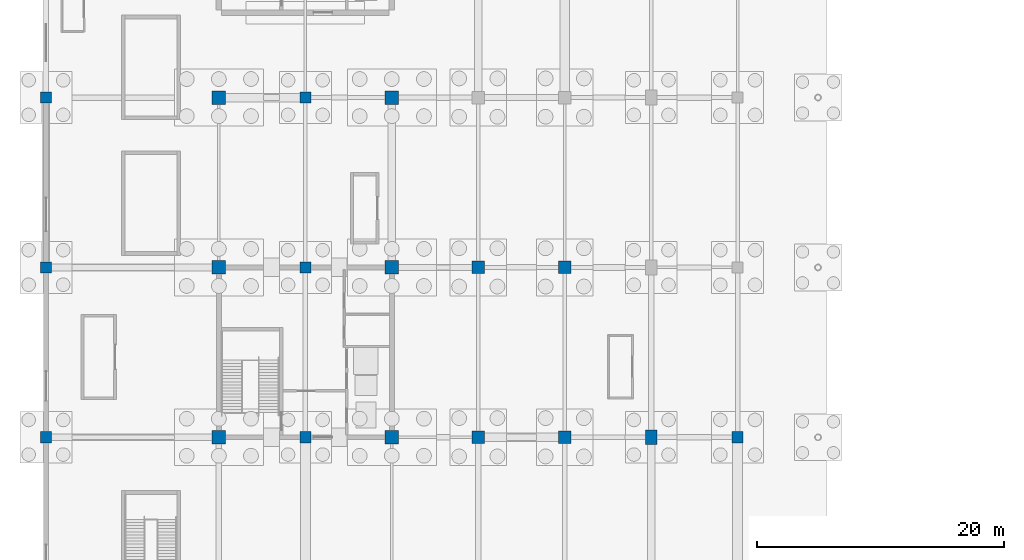
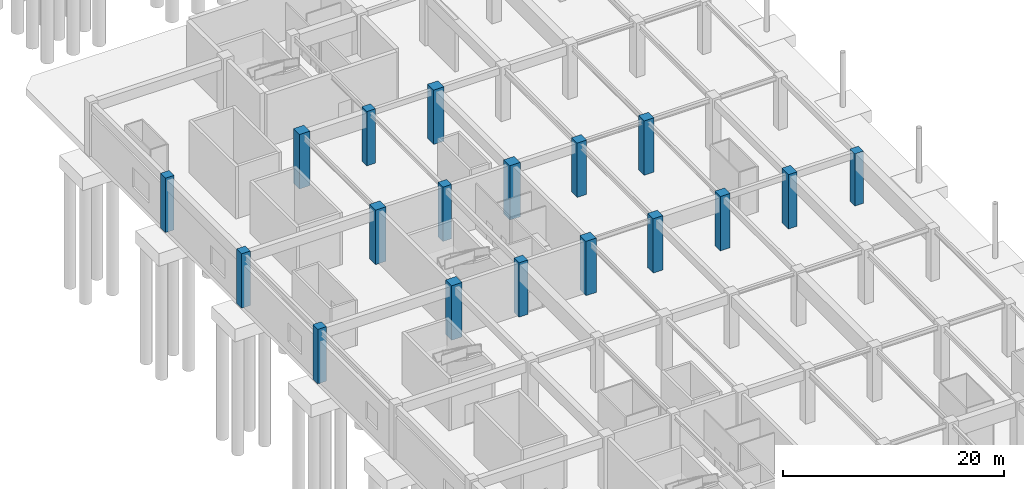
# One storey, part 14 of 62: 18 columns.
"""IFC4 building model written with IfcOpenShell, lengths in metres."""

import ifcopenshell
import ifcopenshell.guid

model = None  # the IFC model being written
_history = None  # IfcOwnerHistory: only IFC2X3 demands one
_inside = {}  # id of a spatial element -> (the spatial element, [elements in it])
_under = {}  # id of a project, library or spatial element -> (it, [spatial elements below it])
_declared = {}  # id of a project -> (the project, [libraries it declares])
_typed = {}  # id of a type object -> (the type object, [elements of that type])
_made_of = {}  # id of a material, layer set ... -> (it, [elements and type objects made of it])


def new_model(schema):
    """Start an empty IFC model of exactly this schema.

    Asked for "IFC4X3", IfcOpenShell would pick the latest addendum, in which some entities
    have other attributes; the version numbers below select the first issue.
    IFC2X3 requires an IfcOwnerHistory on every rooted entity: one is made here for all.
    """
    global model, _history
    if schema == "IFC4X3":
        model = ifcopenshell.file(schema_version=(4, 3, 0, 0))
    else:
        model = ifcopenshell.file(schema=schema)
    _inside.clear()
    _under.clear()
    _declared.clear()
    _typed.clear()
    _made_of.clear()
    _history = None
    if model.schema == "IFC2X3":
        org = make("IfcOrganization", Name="unknown")
        user = make(
            "IfcPersonAndOrganization",
            ThePerson=make("IfcPerson", FamilyName="unknown"),
            TheOrganization=org,
        )
        app = make(
            "IfcApplication",
            ApplicationDeveloper=org,
            Version="unknown",
            ApplicationFullName="unknown",
            ApplicationIdentifier="unknown",
        )
        _history = make(
            "IfcOwnerHistory",
            OwningUser=user,
            OwningApplication=app,
            ChangeAction="ADDED",
            CreationDate=0,
        )
    return model


def make(cls, **values):
    """One entity of the class cls with the attributes given. An attribute that is None is left unset."""
    return model.create_entity(
        cls, **{name: value for name, value in values.items() if value is not None}
    )


def rooted(cls, **values):
    """An entity with a GlobalId (a new one), such as an element, a storey or a relation."""
    return make(cls, GlobalId=ifcopenshell.guid.new(), OwnerHistory=_history, **values)


def si_unit(unit_type, name, prefix=None):
    """IfcSIUnit, for example si_unit("LENGTHUNIT", "METRE", prefix="MILLI")."""
    return make("IfcSIUnit", UnitType=unit_type, Prefix=prefix, Name=name)


def assignment(units):
    """IfcUnitAssignment: the units of a project."""
    return None if units is None else make("IfcUnitAssignment", Units=units)


def point(xyz):
    """IfcCartesianPoint."""
    return None if xyz is None else make("IfcCartesianPoint", Coordinates=xyz)


def direction(xyz):
    """IfcDirection."""
    return None if xyz is None else make("IfcDirection", DirectionRatios=xyz)


def frame(location, z_axis=None, x_axis=None):
    """IfcAxis2Placement3D, a coordinate frame: its origin and axes. An axis left out is left unset."""
    return make(
        "IfcAxis2Placement3D",
        Location=point(location),
        Axis=direction(z_axis),
        RefDirection=direction(x_axis),
    )


def frame_2d(location, x_axis=None):
    """IfcAxis2Placement2D, a coordinate frame in the plane: its origin and x axis."""
    return make(
        "IfcAxis2Placement2D", Location=point(location), RefDirection=direction(x_axis)
    )


def origin():
    """The frame at (0, 0, 0) with its axes left unset."""
    return frame((0.0, 0.0, 0.0))


def origin_2d():
    """The frame at (0, 0) in the plane with its x axis left unset."""
    return frame_2d((0.0, 0.0))


def place(relative_to, where):
    """IfcLocalPlacement: puts the frame where relative to a parent placement (None: the world)."""
    return make(
        "IfcLocalPlacement", PlacementRelTo=relative_to, RelativePlacement=where
    )


def context(
    kind, dimensions, precision=None, world=None, true_north=None, identifier=None
):
    """IfcGeometricRepresentationContext, for example the 3D "Model" context."""
    return make(
        "IfcGeometricRepresentationContext",
        ContextIdentifier=identifier,
        ContextType=kind,
        CoordinateSpaceDimension=dimensions,
        Precision=precision,
        WorldCoordinateSystem=world,
        TrueNorth=true_north,
    )


def subcontext(parent, identifier, kind, view, scale=None):
    """IfcGeometricRepresentationSubContext, for example "Body" below "Model"."""
    return make(
        "IfcGeometricRepresentationSubContext",
        ContextIdentifier=identifier,
        ContextType=kind,
        ParentContext=parent,
        TargetScale=scale,
        TargetView=view,
    )


def project(units=None, contexts=None):
    """IfcProject with its units and contexts."""
    return rooted(
        "IfcProject",
        Name="project",
        RepresentationContexts=contexts,
        UnitsInContext=assignment(units),
    )


def spatial(cls, under=None, at=None, **own):
    """A site, building, storey or space (cls), placed at a placement, below another one or the project."""
    s = rooted(cls, ObjectPlacement=at, **own)
    if under is not None:
        _under.setdefault(under.id(), (under, []))[1].append(s)
    return s


def profile(cls, at=None, kind="AREA", **sizes):
    """A parametric profile (cls). Its sizes go by their IFC names, for example OverallWidth=200.0."""
    return make(cls, ProfileType=kind, Position=at, **sizes)


def rectangle(**sizes):
    """IfcRectangleProfileDef."""
    return profile("IfcRectangleProfileDef", **sizes)


def extrude(swept, where, along, depth):
    """IfcExtrudedAreaSolid: the profile swept, set in the frame where, extruded along a direction by depth."""
    return make(
        "IfcExtrudedAreaSolid",
        SweptArea=swept,
        Position=where,
        ExtrudedDirection=direction(along),
        Depth=depth,
    )


def shape(context_of_items, identifier, shape_type, items):
    """IfcShapeRepresentation: the items that make up one representation, for example the "Body"."""
    return make(
        "IfcShapeRepresentation",
        ContextOfItems=context_of_items,
        RepresentationIdentifier=identifier,
        RepresentationType=shape_type,
        Items=items,
    )


def material(Name=None, Category=None):
    """IfcMaterial."""
    return make("IfcMaterial", Name=Name, Category=Category)


def material_profile(
    of_material, cross_section, Name=None, Category=None, Priority=None
):
    """IfcMaterialProfile: a cross section and its material."""
    return make(
        "IfcMaterialProfile",
        Name=Name,
        Material=of_material,
        Profile=cross_section,
        Priority=Priority,
        Category=Category,
    )


def profile_set(profiles, Name=None, composite=None):
    """IfcMaterialProfileSet."""
    return make(
        "IfcMaterialProfileSet",
        Name=Name,
        MaterialProfiles=profiles,
        CompositeProfile=composite,
    )


def made_of(thing, what):
    """Note that an element or type object is made of a material, layer set ...; save() writes the relation."""
    if what is not None:
        _made_of.setdefault(what.id(), (what, []))[1].append(thing)
    return thing


def type_object(cls, material=None, **own):
    """A type object (cls), such as IfcWallType, which elements share."""
    return made_of(rooted(cls, **own), material)


def element(
    cls,
    number,
    at=None,
    inside=None,
    cuts=None,
    type_object=None,
    material=None,
    context=None,
    identifier="Body",
    shape_type=None,
    held_by="IfcProductDefinitionShape",
    body=None,
    shapes=None,
    **own,
):
    """One element of the class cls, such as IfcWall. Its Tag is "e" and its number.

    at: its placement. inside: the storey or other place that contains it. cuts: it is an
    opening in that element (IfcRelVoidsElement). A single representation is given by context,
    identifier, shape_type and body (its items); several are given by shapes. held_by: the class
    of the entity that holds the representations. save() writes the other relations.
    """
    e = rooted(cls, Tag="e%d" % number, ObjectPlacement=at, **own)
    if body is not None:
        shapes = [shape(context, identifier, shape_type, body)]
    if shapes is not None:
        e.Representation = make(held_by, Representations=shapes)
    if inside is not None:
        _inside.setdefault(inside.id(), (inside, []))[1].append(e)
    if cuts is not None:
        rooted(
            "IfcRelVoidsElement", RelatingBuildingElement=cuts, RelatedOpeningElement=e
        )
    if type_object is not None:
        _typed.setdefault(type_object.id(), (type_object, []))[1].append(e)
    return made_of(e, material)


def aggregate(whole, parts):
    """IfcRelAggregates: a whole, such as a stair, and the parts it consists of."""
    return rooted("IfcRelAggregates", RelatingObject=whole, RelatedObjects=parts)


def save(model, path):
    """Write the relations noted so far, then the file.

    IfcRelAggregates (storeys below a building ...), IfcRelContainedInSpatialStructure (elements
    in a storey), IfcRelDefinesByType, IfcRelAssociatesMaterial and IfcRelDeclares: one each for
    every whole, place, type object, material and project.
    """
    for whole, parts in _under.values():
        aggregate(whole, parts)
    for where, things in _inside.values():
        rooted(
            "IfcRelContainedInSpatialStructure",
            RelatedElements=things,
            RelatingStructure=where,
        )
    for kind, things in _typed.values():
        rooted("IfcRelDefinesByType", RelatedObjects=things, RelatingType=kind)
    for what, things in _made_of.values():
        rooted("IfcRelAssociatesMaterial", RelatedObjects=things, RelatingMaterial=what)
    for by, libraries in _declared.values():
        rooted("IfcRelDeclares", RelatingContext=by, RelatedDefinitions=libraries)
    model.write(path)


model = new_model("IFC4")

# Units and contexts
model_context = context("Model", 3, precision=1e-05, world=origin(), true_north=direction((0.0, 1.0)))
body_context = subcontext(model_context, "Body", "Model", "MODEL_VIEW")
ifc_project = project(units=[si_unit("LENGTHUNIT", "METRE"), si_unit("AREAUNIT", "SQUARE_METRE"), si_unit("VOLUMEUNIT", "CUBIC_METRE"), si_unit("PLANEANGLEUNIT", "RADIAN"), si_unit("MASSUNIT", "GRAM", prefix="KILO")], contexts=[model_context])

# Site, building, storey
site_placement = place(None, origin())
site = spatial("IfcSite", under=ifc_project, at=site_placement, CompositionType="ELEMENT")
building_placement = place(site_placement, origin())
building = spatial("IfcBuilding", under=site, at=building_placement, Name="Linyun Crest Stadium", CompositionType="ELEMENT")
storey_placement = place(building_placement, frame((0.0, 0.0, -6.0)))
storey = spatial("IfcBuildingStorey", under=building, at=storey_placement, Name="B1", CompositionType="ELEMENT", Elevation=-6.0)

# Columns
ifc_material_1 = material(Name="Concrete C50", Category="concrete")
ifc_material_profile_1 = material_profile(ifc_material_1, rectangle(XDim=0.89990234375, YDim=0.89990234375, at=origin_2d()), Name="RC 900x900")
ifc_profile_set_1 = profile_set([ifc_material_profile_1], Name="Concrete C50")
column_type_1 = type_object("IfcColumnType", Name="C04", PredefinedType="COLUMN", material=ifc_profile_set_1)
for number, where, z_axis, x_axis, name in (
    (1, (-98.0, 2.125, 0.0), (0.0, 0.0, 1.0), (1.0, 0.0, 0.0), "Column C04 B1 25"),
    (2, (-98.0, 15.875, 0.0), (0.0, 0.0, 1.0), (1.0, 0.0, 0.0), "Column C04 B1 31"),
    (3, (-98.0, 29.625, 0.0), (0.0, 0.0, 1.0), (1.0, 0.0, 0.0), "Column C04 B1 37"),
    (4, (-77.0, 2.125, 0.0), (0.0, 0.0, 1.0), (1.0, 0.0, 0.0), "Column C04 B1 125"),
    (5, (-77.0, 15.875, 0.0), (0.0, 0.0, 1.0), (1.0, 0.0, 0.0), "Column C04 B1 130"),
    (6, (-77.0, 29.625, 0.0), (0.0, 0.0, 1.0), (1.0, 0.0, 0.0), "Column C04 B1 135"),
):
    element("IfcColumn", number, at=place(storey_placement, frame(where, z_axis=z_axis, x_axis=x_axis)), inside=storey, type_object=column_type_1, Name=name, PredefinedType="COLUMN", context=body_context, shape_type="SweptSolid", body=[
        extrude(rectangle(XDim=0.89990234375, YDim=0.89990234375, at=origin_2d()), origin(), (0.0, 0.0, 1.0), 5.998046875),
    ])
column_1_placement = place(storey_placement, frame((-42.0, 2.125, 0.0), z_axis=(0.0, 0.0, 1.0), x_axis=(1.0, 0.0, 0.0)))
element("IfcColumn", 7, at=column_1_placement, inside=storey, type_object=column_type_1, Name="Column C04 B1 293", PredefinedType="COLUMN", context=body_context, shape_type="SweptSolid", body=[
    extrude(rectangle(XDim=0.89990234375, YDim=0.89990234375, at=origin_2d()), origin(), (0.0, 0.0, 1.0), 5.75),
])
ifc_material_2 = material(Name="Concrete C50", Category="concrete")
ifc_material_profile_2 = material_profile(ifc_material_2, rectangle(XDim=1.0, YDim=1.0, at=origin_2d()), Name="RC 1000x1000")
ifc_profile_set_2 = profile_set([ifc_material_profile_2], Name="Concrete C50")
column_type_2 = type_object("IfcColumnType", Name="C05", PredefinedType="COLUMN", material=ifc_profile_set_2)
for number, where, z_axis, x_axis, name in (
    (8, (-63.0, 2.125, 0.0), (0.0, 0.0, 1.0), (1.0, 0.0, 0.0), "Column C05 B1 221"),
    (9, (-63.0, 15.875, 0.0), (0.0, 0.0, 1.0), (1.0, 0.0, 0.0), "Column C05 B1 226"),
    (10, (-56.0, 2.125, 0.0), (0.0, 0.0, 1.0), (1.0, 0.0, 0.0), "Column C05 B1 257"),
    (11, (-56.0, 15.875, 0.0), (0.0, 0.0, 1.0), (1.0, 0.0, 0.0), "Column C05 B1 261"),
):
    element("IfcColumn", number, at=place(storey_placement, frame(where, z_axis=z_axis, x_axis=x_axis)), inside=storey, type_object=column_type_2, Name=name, PredefinedType="COLUMN", context=body_context, shape_type="SweptSolid", body=[
        extrude(rectangle(XDim=1.0, YDim=1.0, at=origin_2d()), origin(), (0.0, 0.0, 1.0), 5.998046875),
    ])
ifc_material_3 = material(Name="Concrete C50", Category="concrete")
ifc_material_profile_3 = material_profile(ifc_material_3, rectangle(XDim=1.10009765625, YDim=1.10009765625, at=origin_2d()), Name="RC 1100x1100")
ifc_profile_set_3 = profile_set([ifc_material_profile_3], Name="Concrete C50")
column_type_3 = type_object("IfcColumnType", Name="C06", PredefinedType="COLUMN", material=ifc_profile_set_3)
for number, where, z_axis, x_axis, name in (
    (12, (-84.0, 2.125, 0.0), (0.0, 0.0, 1.0), (1.0, 0.0, 0.0), "Column C06 B1 77"),
    (13, (-84.0, 15.875, 0.0), (0.0, 0.0, 1.0), (1.0, 0.0, 0.0), "Column C06 B1 84"),
    (14, (-84.0, 29.625, 0.0), (0.0, 0.0, 1.0), (1.0, 0.0, 0.0), "Column C06 B1 91"),
    (15, (-70.0, 2.125, 0.0), (0.0, 0.0, 1.0), (1.0, 0.0, 0.0), "Column C06 B1 173"),
    (16, (-70.0, 15.875, 0.0), (0.0, 0.0, 1.0), (1.0, 0.0, 0.0), "Column C06 B1 180"),
    (17, (-70.0, 29.625, 0.0), (0.0, 0.0, 1.0), (1.0, 0.0, 0.0), "Column C06 B1 187"),
):
    element("IfcColumn", number, at=place(storey_placement, frame(where, z_axis=z_axis, x_axis=x_axis)), inside=storey, type_object=column_type_3, Name=name, PredefinedType="COLUMN", context=body_context, shape_type="SweptSolid", body=[
        extrude(rectangle(XDim=1.10009765625, YDim=1.10009765625, at=origin_2d()), origin(), (0.0, 0.0, 1.0), 5.998046875),
    ])
ifc_material_4 = material(Name="Concrete C50", Category="concrete")
ifc_material_profile_4 = material_profile(ifc_material_4, rectangle(XDim=0.89990234375, YDim=1.199951171875, at=origin_2d()), Name="RC 1200x900")
ifc_profile_set_4 = profile_set([ifc_material_profile_4], Name="Concrete C50")
column_type_4 = type_object("IfcColumnType", Name="C11", PredefinedType="COLUMN", material=ifc_profile_set_4)
column_2_placement = place(storey_placement, frame((-49.0, 2.125, 0.0), z_axis=(0.0, 0.0, 1.0), x_axis=(1.0, 0.0, 0.0)))
element("IfcColumn", 18, at=column_2_placement, inside=storey, type_object=column_type_4, Name="Column C11 B1 281", PredefinedType="COLUMN", context=body_context, shape_type="SweptSolid", body=[
    extrude(rectangle(XDim=0.89990234375, YDim=1.199951171875, at=origin_2d()), origin(), (0.0, 0.0, 1.0), 5.998046875),
])

save(model, "model.ifc")
